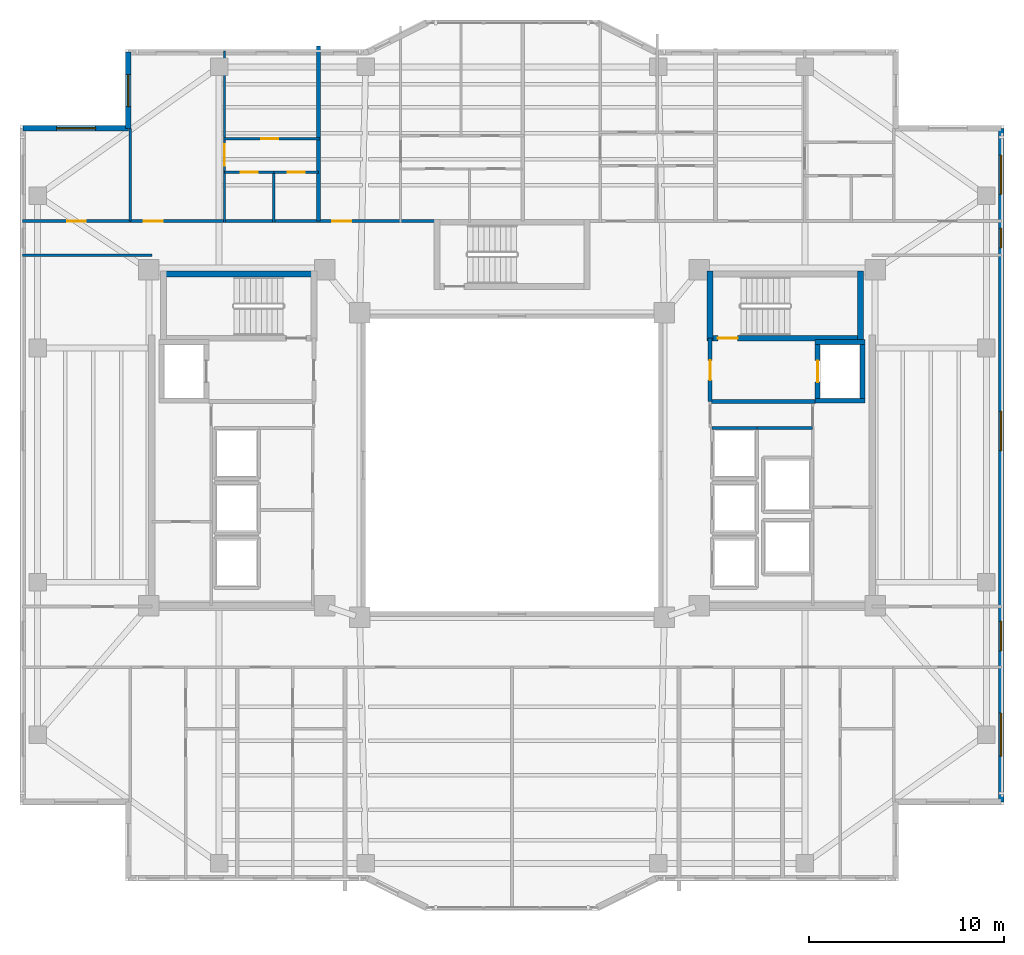
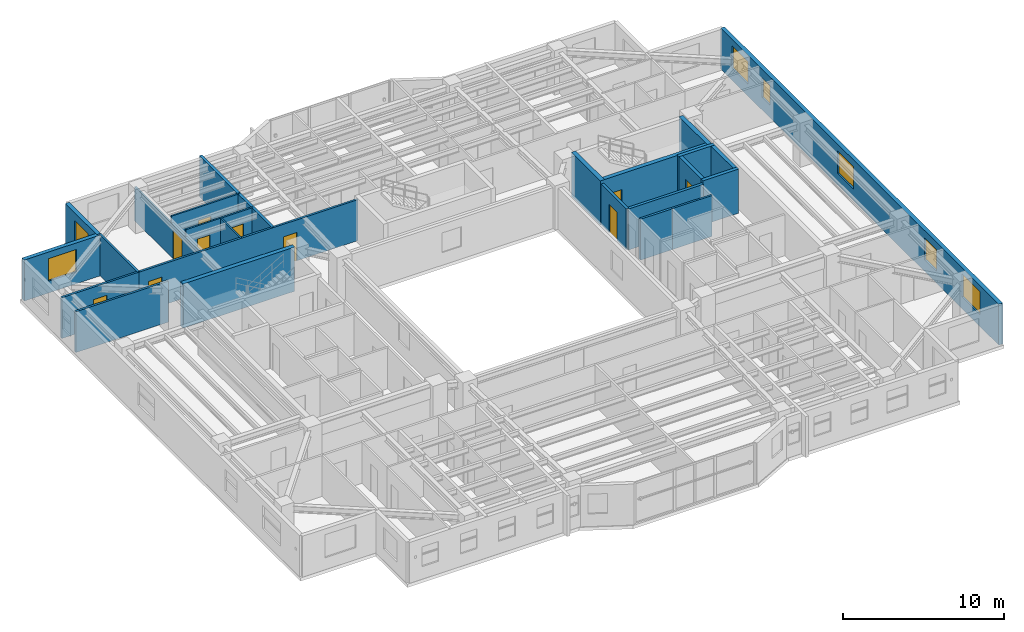
# One storey, part 9 of 16: 25 walls, 10 doors, 7 windows, 17 openings.
"""IFC4 building model written with IfcOpenShell, lengths in metres."""

from ifc_helpers import new_model, si_unit, direction, frame, frame_2d, origin, place, context, subcontext, project, spatial, rectangle, extrude, material, layer, layer_set, type_object, element, fill, save


model = new_model("IFC4")

# Units and contexts
model_context = context("Model", 3, precision=1e-05, world=origin(), true_north=direction((0.0, 1.0)))
body_context = subcontext(model_context, "Body", "Model", "MODEL_VIEW")
ifc_project = project(units=[si_unit("LENGTHUNIT", "METRE"), si_unit("AREAUNIT", "SQUARE_METRE"), si_unit("VOLUMEUNIT", "CUBIC_METRE"), si_unit("PLANEANGLEUNIT", "RADIAN"), si_unit("MASSUNIT", "GRAM", prefix="KILO")], contexts=[model_context])

# Site, building, storey
site_placement = place(None, origin())
site = spatial("IfcSite", under=ifc_project, at=site_placement, CompositionType="ELEMENT")
building_placement = place(site_placement, origin())
building = spatial("IfcBuilding", under=site, at=building_placement, Name="Tarnavaz Court Tower", CompositionType="ELEMENT")
storey_placement = place(building_placement, frame((0.0, 0.0, 152.699951171875)))
storey = spatial("IfcBuildingStorey", under=building, at=storey_placement, Name="L41", CompositionType="ELEMENT", Elevation=152.699951171875)

# Wall, opening, door
ifc_material_1 = material(Name="Concrete C50/60", Category="concrete")
ifc_layer_1 = layer(ifc_material_1, 0.25)
ifc_layer_set_1 = layer_set([ifc_layer_1], Name="Concrete C50/60")
wall_type_1 = type_object("IfcWallType", Name="WL-CORE-250-C50", PredefinedType="SHEAR", material=ifc_layer_set_1)
wall_1_placement = place(storey_placement, frame((15.64990234375, 3.175048828125, 0.0), z_axis=(0.0, 0.0, 1.0), x_axis=(0.0, 1.0, 0.0)))
wall_1 = element("IfcWall", 1, at=wall_1_placement, inside=storey, type_object=wall_type_1, Name="L41 Lift FL-E1 Shaft Wall 033", PredefinedType="SHEAR", context=body_context, shape_type="SweptSolid", body=[
    extrude(rectangle(XDim=3.25, YDim=0.25, at=frame_2d((1.625, 0.0))), origin(), (0.0, 0.0, 1.0), 3.35009765625),
])
opening_1_placement = place(wall_1_placement, frame((1.074951171875, 0.0, 0.0)))
opening_1 = element("IfcOpeningElement", 2, at=opening_1_placement, cuts=wall_1, Name="Opening LD1", PredefinedType="OPENING", context=body_context, shape_type="SweptSolid", body=[
    extrude(rectangle(XDim=1.10009765625, YDim=2.14990234375, at=frame_2d((0.550048828125, 1.074951171875))), frame((0.0, 0.135009765625, 0.0), z_axis=(0.0, -1.0, 0.0), x_axis=(1.0, 0.0, 0.0)), (0.0, 0.0, 1.0), 0.27001953125),
])
ifc_material_2 = material(Name="Stainless Steel", Category="steel")
door_type_1 = type_object("IfcDoorType", Name="DR-LD-1100", OperationType="NOTDEFINED", PredefinedType="DOOR", material=ifc_material_2)
door_1_placement = place(opening_1_placement, origin())
door_1 = element("IfcDoor", 3, at=door_1_placement, inside=storey, type_object=door_type_1, Name="L41 Lift Landing Door LD-FL-E1", OperationType="SLIDING_TO_LEFT", OverallHeight=2.14990234375, OverallWidth=1.10009765625, PredefinedType="DOOR", context=body_context, shape_type="SweptSolid", body=[
    extrude(rectangle(XDim=1.10009765625, YDim=2.14990234375, at=frame_2d((0.550048828125, 1.074951171875))), frame((0.0, 0.02490234375, 0.0), z_axis=(0.0, -1.0, 0.0), x_axis=(1.0, 0.0, 0.0)), (0.0, 0.0, 1.0), 0.050048828125),
])
fill(opening_1, door_1)

# Walls
wall_2_placement = place(storey_placement, frame((17.949951171875, 3.175048828125, 0.0), z_axis=(0.0, 0.0, 1.0), x_axis=(0.0, 1.0, 0.0)))
element("IfcWall", 4, at=wall_2_placement, inside=storey, type_object=wall_type_1, Name="L41 Lift FL-E1 Shaft Wall 034", PredefinedType="SHEAR", context=body_context, shape_type="SweptSolid", body=[
    extrude(rectangle(XDim=3.25, YDim=0.25, at=frame_2d((1.625, 0.0))), origin(), (0.0, 0.0, 1.0), 3.35009765625),
])
for number, where, z_axis, x_axis, name in (
    (5, (15.52490234375, 3.300048828125, 0.0), (0.0, 0.0, 1.0), (1.0, 0.0, 0.0), "L41 Lift FL-E1 Shaft Wall 035"),
    (6, (15.52490234375, 6.300048828125, 0.0), (0.0, 0.0, 1.0), (1.0, 0.0, 0.0), "L41 Lift FL-E1 Shaft Wall 036"),
):
    element("IfcWall", number, at=place(storey_placement, frame(where, z_axis=z_axis, x_axis=x_axis)), inside=storey, type_object=wall_type_1, Name=name, PredefinedType="SHEAR", context=body_context, shape_type="SweptSolid", body=[
        extrude(rectangle(XDim=2.550048828125, YDim=0.25, at=frame_2d((1.27490234375, 0.0))), origin(), (0.0, 0.0, 1.0), 3.35009765625),
    ])
ifc_layer_2 = layer(ifc_material_1, 0.300048828125)
ifc_layer_set_2 = layer_set([ifc_layer_2], Name="Concrete C50/60")
wall_type_2 = type_object("IfcWallType", Name="WL-CORE-300-C50", PredefinedType="SHEAR", material=ifc_layer_set_2)
wall_3_placement = place(storey_placement, frame((-18.0, 9.7900390625, 0.0), z_axis=(0.0, 0.0, 1.0), x_axis=(1.0, 0.0, 0.0)))
element("IfcWall", 7, at=wall_3_placement, inside=storey, type_object=wall_type_2, Name="L41 West Stair Core Wall 001", PredefinedType="SHEAR", context=body_context, shape_type="SweptSolid", body=[
    extrude(rectangle(XDim=8.0, YDim=0.300048828125, at=frame_2d((4.0, 0.0))), origin(), (0.0, 0.0, 1.0), 3.35009765625),
])

# Wall, opening, door
wall_4_placement = place(storey_placement, frame((10.0, 6.5, 0.0), z_axis=(0.0, 0.0, 1.0), x_axis=(1.0, 0.0, 0.0)))
wall_4 = element("IfcWall", 8, at=wall_4_placement, inside=storey, type_object=wall_type_2, Name="L41 East Stair Core Wall 006", PredefinedType="SHEAR", context=body_context, shape_type="SweptSolid", body=[
    extrude(rectangle(XDim=8.0, YDim=0.300048828125, at=frame_2d((4.0, 0.0))), origin(), (0.0, 0.0, 1.0), 3.35009765625),
])
opening_2_placement = place(wall_4_placement, frame((0.550048828125, 0.0, 0.0)))
opening_2 = element("IfcOpeningElement", 9, at=opening_2_placement, cuts=wall_4, Name="Opening D01", PredefinedType="OPENING", context=body_context, shape_type="SweptSolid", body=[
    extrude(rectangle(XDim=1.0, YDim=2.14990234375, at=frame_2d((0.5, 1.074951171875))), frame((0.0, 0.159912109375, 0.0), z_axis=(0.0, -1.0, 0.0), x_axis=(1.0, 0.0, 0.0)), (0.0, 0.0, 1.0), 0.320068359375),
])
ifc_material_3 = material(Name="Fire-Rated Hardwood Timber Core", Category="wood")
door_type_2 = type_object("IfcDoorType", Name="DR-FD90-1000", OperationType="NOTDEFINED", PredefinedType="DOOR", material=ifc_material_3)
door_2_placement = place(opening_2_placement, origin())
door_2 = element("IfcDoor", 10, at=door_2_placement, inside=storey, type_object=door_type_2, Name="L41 Stair ST-E1 Exit Door", OperationType="SINGLE_SWING_RIGHT", OverallHeight=2.14990234375, OverallWidth=1.0, PredefinedType="DOOR", context=body_context, shape_type="SweptSolid", body=[
    extrude(rectangle(XDim=1.0, YDim=2.14990234375, at=frame_2d((0.5, 1.074951171875))), frame((0.0, 0.02490234375, 0.0), z_axis=(0.0, -1.0, 0.0), x_axis=(1.0, 0.0, 0.0)), (0.0, 0.0, 1.0), 0.050048828125),
])
fill(opening_2, door_2)

# Walls
for number, where, z_axis, x_axis, name in (
    (11, (10.14990234375, 6.35009765625, 0.0), (0.0, 0.0, 1.0), (0.0, 1.0, 0.0), "L41 East Stair Core Wall 007"),
    (12, (17.85009765625, 6.35009765625, 0.0), (0.0, 0.0, 1.0), (0.0, 1.0, 0.0), "L41 East Stair Core Wall 008"),
):
    element("IfcWall", number, at=place(storey_placement, frame(where, z_axis=z_axis, x_axis=x_axis)), inside=storey, type_object=wall_type_2, Name=name, PredefinedType="SHEAR", context=body_context, shape_type="SweptSolid", body=[
        extrude(rectangle(XDim=3.58984375, YDim=0.300048828125, at=frame_2d((1.794921875, 0.0))), origin(), (0.0, 0.0, 1.0), 3.35009765625),
    ])

# Wall, opening, window
ifc_material_4 = material(Name="Precast Concrete C40/50", Category="concrete")
ifc_layer_3 = layer(ifc_material_4, 0.280029296875)
ifc_layer_set_3 = layer_set([ifc_layer_3], Name="Precast Concrete C40/50")
wall_type_3 = type_object("IfcWallType", Name="WL-EXT-280", PredefinedType="SOLIDWALL", material=ifc_layer_set_3)
wall_5_placement = place(storey_placement, frame((-25.050048828125, 17.25, 0.0), z_axis=(0.0, 0.0, 1.0), x_axis=(1.0, 0.0, 0.0)))
wall_5 = element("IfcWall", 13, at=wall_5_placement, inside=storey, type_object=wall_type_3, Name="L41 Exterior Terracotta Facade Wall 03", PredefinedType="SOLIDWALL", context=body_context, shape_type="SweptSolid", body=[
    extrude(rectangle(XDim=5.400146484375, YDim=0.280029296875, at=frame_2d((2.7001953125, 0.0))), origin(), (0.0, 0.0, 1.0), 3.10009765625),
])
opening_3_placement = place(wall_5_placement, frame((1.72509765625, 0.0, 0.89990234375)))
opening_3 = element("IfcOpeningElement", 14, at=opening_3_placement, cuts=wall_5, Name="Opening W08", PredefinedType="OPENING", context=body_context, shape_type="SweptSolid", body=[
    extrude(rectangle(XDim=2.0, YDim=1.699951171875, at=frame_2d((1.0, 0.85009765625))), frame((0.0, 0.14990234375, 0.0), z_axis=(0.0, -1.0, 0.0), x_axis=(1.0, 0.0, 0.0)), (0.0, 0.0, 1.0), 0.300048828125),
])
ifc_material_5 = material(Name="Double-Glazed Solar Low-E Glass", Category="glass")
window_type_1 = type_object("IfcWindowType", Name="WN-APT-2000", PartitioningType="DOUBLE_PANEL_VERTICAL", PredefinedType="WINDOW", material=ifc_material_5)
window_1_placement = place(opening_3_placement, origin())
window_1 = element("IfcWindow", 15, at=window_1_placement, inside=storey, type_object=window_type_1, Name="L41 North-West Corner Sunroom Study Window", OverallHeight=1.699951171875, OverallWidth=2.0, PartitioningType="SINGLE_PANEL", PredefinedType="WINDOW", context=body_context, shape_type="SweptSolid", body=[
    extrude(rectangle(XDim=2.0, YDim=1.699951171875, at=frame_2d((1.0, 0.85009765625))), frame((0.0, 0.030029296875, 0.0), z_axis=(0.0, -1.0, 0.0), x_axis=(1.0, 0.0, 0.0)), (0.0, 0.0, 1.0), 0.06005859375),
])
fill(opening_3, window_1)

wall_6_placement = place(storey_placement, frame((-19.64990234375, 17.25, 0.0), z_axis=(0.0, 0.0, 1.0), x_axis=(0.0, 1.0, 0.0)))
wall_6 = element("IfcWall", 16, at=wall_6_placement, inside=storey, type_object=wall_type_3, Name="L41 Exterior Terracotta Facade Wall 04", PredefinedType="SOLIDWALL", context=body_context, shape_type="SweptSolid", body=[
    extrude(rectangle(XDim=3.89990234375, YDim=0.280029296875, at=frame_2d((1.949951171875, 0.0))), origin(), (0.0, 0.0, 1.0), 3.10009765625),
])
opening_4_placement = place(wall_6_placement, frame((1.107177734375, 0.0, 0.89990234375)))
opening_4 = element("IfcOpeningElement", 17, at=opening_4_placement, cuts=wall_6, Name="Opening W02", PredefinedType="OPENING", context=body_context, shape_type="SweptSolid", body=[
    extrude(rectangle(XDim=1.64990234375, YDim=1.60009765625, at=frame_2d((0.824951171875, 0.800048828125))), frame((0.0, 0.14990234375, 0.0), z_axis=(0.0, -1.0, 0.0), x_axis=(1.0, 0.0, 0.0)), (0.0, 0.0, 1.0), 0.300048828125),
])
window_type_2 = type_object("IfcWindowType", Name="WN-APT-1650", PartitioningType="DOUBLE_PANEL_VERTICAL", PredefinedType="WINDOW", material=ifc_material_5)
window_2_placement = place(opening_4_placement, origin())
window_2 = element("IfcWindow", 18, at=window_2_placement, inside=storey, type_object=window_type_2, Name="L41 Flat 01 Living and Dining Room Window", OverallHeight=1.60009765625, OverallWidth=1.64990234375, PartitioningType="SINGLE_PANEL", PredefinedType="WINDOW", context=body_context, shape_type="SweptSolid", body=[
    extrude(rectangle(XDim=1.64990234375, YDim=1.60009765625, at=frame_2d((0.824951171875, 0.800048828125))), frame((0.0, 0.030029296875, 0.0), z_axis=(0.0, -1.0, 0.0), x_axis=(1.0, 0.0, 0.0)), (0.0, 0.0, 1.0), 0.06005859375),
])
fill(opening_4, window_2)

# Wall, openings, windows
wall_7_placement = place(storey_placement, frame((25.050048828125, 17.25, 0.0), z_axis=(0.0, 0.0, 1.0), x_axis=(0.0, -1.0, 0.0)))
wall_7 = element("IfcWall", 19, at=wall_7_placement, inside=storey, type_object=wall_type_3, Name="L41 Exterior Terracotta Facade Wall 12", PredefinedType="SOLIDWALL", context=body_context, shape_type="SweptSolid", body=[
    extrude(rectangle(XDim=34.5, YDim=0.280029296875, at=frame_2d((17.25, 0.0))), origin(), (0.0, 0.0, 1.0), 3.10009765625),
])
opening_5_placement = place(wall_7_placement, frame((1.375, 0.0, 0.89990234375)))
opening_5 = element("IfcOpeningElement", 20, at=opening_5_placement, cuts=wall_7, Name="Opening W08", PredefinedType="OPENING", context=body_context, shape_type="SweptSolid", body=[
    extrude(rectangle(XDim=2.0, YDim=1.699951171875, at=frame_2d((1.0, 0.85009765625))), frame((0.0, 0.14990234375, 0.0), z_axis=(0.0, -1.0, 0.0), x_axis=(1.0, 0.0, 0.0)), (0.0, 0.0, 1.0), 0.300048828125),
])
opening_6_placement = place(wall_7_placement, frame((5.125, 0.0, 0.949951171875)))
opening_6 = element("IfcOpeningElement", 21, at=opening_6_placement, cuts=wall_7, Name="Opening W14", PredefinedType="OPENING", context=body_context, shape_type="SweptSolid", body=[
    extrude(rectangle(XDim=1.0, YDim=1.5, at=frame_2d((0.5, 0.75))), frame((0.0, 0.14990234375, 0.0), z_axis=(0.0, -1.0, 0.0), x_axis=(1.0, 0.0, 0.0)), (0.0, 0.0, 1.0), 0.300048828125),
])
opening_7_placement = place(wall_7_placement, frame((14.5, 0.0, 0.89990234375)))
opening_7 = element("IfcOpeningElement", 22, at=opening_7_placement, cuts=wall_7, Name="Opening W08", PredefinedType="OPENING", context=body_context, shape_type="SweptSolid", body=[
    extrude(rectangle(XDim=2.0, YDim=1.699951171875, at=frame_2d((1.0, 0.85009765625))), frame((0.0, 0.14990234375, 0.0), z_axis=(0.0, -1.0, 0.0), x_axis=(1.0, 0.0, 0.0)), (0.0, 0.0, 1.0), 0.300048828125),
])
opening_8_placement = place(wall_7_placement, frame((25.257568359375, 0.0, 0.89990234375)))
opening_8 = element("IfcOpeningElement", 23, at=opening_8_placement, cuts=wall_7, Name="Opening W03", PredefinedType="OPENING", context=body_context, shape_type="SweptSolid", body=[
    extrude(rectangle(XDim=1.5, YDim=1.64990234375, at=frame_2d((0.75, 0.824951171875))), frame((0.0, 0.14990234375, 0.0), z_axis=(0.0, -1.0, 0.0), x_axis=(1.0, 0.0, 0.0)), (0.0, 0.0, 1.0), 0.300048828125),
])
opening_9_placement = place(wall_7_placement, frame((29.949951171875, 0.0, 0.89990234375)))
opening_9 = element("IfcOpeningElement", 24, at=opening_9_placement, cuts=wall_7, Name="Opening W07", PredefinedType="OPENING", context=body_context, shape_type="SweptSolid", body=[
    extrude(rectangle(XDim=2.199951171875, YDim=1.75, at=frame_2d((1.10009765625, 0.875))), frame((0.0, 0.14990234375, 0.0), z_axis=(0.0, -1.0, 0.0), x_axis=(1.0, 0.0, 0.0)), (0.0, 0.0, 1.0), 0.300048828125),
])
window_type_3 = type_object("IfcWindowType", Name="WN-APT-1000", PartitioningType="SINGLE_PANEL", PredefinedType="WINDOW", material=ifc_material_5)
window_3_placement = place(opening_6_placement, origin())
window_3 = element("IfcWindow", 25, at=window_3_placement, inside=storey, type_object=window_type_3, Name="L41 North-East Corner Corridor Window", OverallHeight=1.5, OverallWidth=1.0, PartitioningType="SINGLE_PANEL", PredefinedType="WINDOW", context=body_context, shape_type="SweptSolid", body=[
    extrude(rectangle(XDim=1.0, YDim=1.5, at=frame_2d((0.5, 0.75))), frame((0.0, 0.030029296875, 0.0), z_axis=(0.0, -1.0, 0.0), x_axis=(1.0, 0.0, 0.0)), (0.0, 0.0, 1.0), 0.06005859375),
])
fill(opening_6, window_3)
window_type_4 = type_object("IfcWindowType", Name="WN-APT-1500", PartitioningType="DOUBLE_PANEL_VERTICAL", PredefinedType="WINDOW", material=ifc_material_5)
window_4_placement = place(opening_8_placement, origin())
window_4 = element("IfcWindow", 26, at=window_4_placement, inside=storey, type_object=window_type_4, Name="L41 South-East Corner Corridor Window", OverallHeight=1.64990234375, OverallWidth=1.5, PartitioningType="SINGLE_PANEL", PredefinedType="WINDOW", context=body_context, shape_type="SweptSolid", body=[
    extrude(rectangle(XDim=1.5, YDim=1.64990234375, at=frame_2d((0.75, 0.824951171875))), frame((0.0, 0.030029296875, 0.0), z_axis=(0.0, -1.0, 0.0), x_axis=(1.0, 0.0, 0.0)), (0.0, 0.0, 1.0), 0.06005859375),
])
fill(opening_8, window_4)
window_5_placement = place(opening_5_placement, origin())
window_5 = element("IfcWindow", 27, at=window_5_placement, inside=storey, type_object=window_type_1, Name="L41 North-East Corner Sunroom Study Window", OverallHeight=1.699951171875, OverallWidth=2.0, PartitioningType="SINGLE_PANEL", PredefinedType="WINDOW", context=body_context, shape_type="SweptSolid", body=[
    extrude(rectangle(XDim=2.0, YDim=1.699951171875, at=frame_2d((1.0, 0.85009765625))), frame((0.0, 0.030029296875, 0.0), z_axis=(0.0, -1.0, 0.0), x_axis=(1.0, 0.0, 0.0)), (0.0, 0.0, 1.0), 0.06005859375),
])
fill(opening_5, window_5)
window_6_placement = place(opening_7_placement, origin())
window_6 = element("IfcWindow", 28, at=window_6_placement, inside=storey, type_object=window_type_1, Name="L41 East Wing Resident Fitness Lounge Window", OverallHeight=1.699951171875, OverallWidth=2.0, PartitioningType="SINGLE_PANEL", PredefinedType="WINDOW", context=body_context, shape_type="SweptSolid", body=[
    extrude(rectangle(XDim=2.0, YDim=1.699951171875, at=frame_2d((1.0, 0.85009765625))), frame((0.0, 0.030029296875, 0.0), z_axis=(0.0, -1.0, 0.0), x_axis=(1.0, 0.0, 0.0)), (0.0, 0.0, 1.0), 0.06005859375),
])
fill(opening_7, window_6)
window_type_5 = type_object("IfcWindowType", Name="WN-APT-2200", PartitioningType="TRIPLE_PANEL_VERTICAL", PredefinedType="WINDOW", material=ifc_material_5)
window_7_placement = place(opening_9_placement, origin())
window_7 = element("IfcWindow", 29, at=window_7_placement, inside=storey, type_object=window_type_5, Name="L41 South-East Corner Reading Room Window", OverallHeight=1.75, OverallWidth=2.199951171875, PartitioningType="SINGLE_PANEL", PredefinedType="WINDOW", context=body_context, shape_type="SweptSolid", body=[
    extrude(rectangle(XDim=2.199951171875, YDim=1.75, at=frame_2d((1.10009765625, 0.875))), frame((0.0, 0.030029296875, 0.0), z_axis=(0.0, -1.0, 0.0), x_axis=(1.0, 0.0, 0.0)), (0.0, 0.0, 1.0), 0.06005859375),
])
fill(opening_9, window_7)

# Wall, openings, doors
ifc_material_6 = material(Name="Gypsum Fire-Board on Acoustic Metal Stud", Category="masonry")
ifc_layer_4 = layer(ifc_material_6, 0.14990234375)
ifc_layer_set_4 = layer_set([ifc_layer_4], Name="Gypsum Fire-Board on Acoustic Metal Stud")
wall_type_4 = type_object("IfcWallType", Name="WL-FIRE-150", PredefinedType="PARTITIONING", material=ifc_layer_set_4)
wall_8_placement = place(storey_placement, frame((-19.550048828125, 12.5, 0.0), z_axis=(0.0, 0.0, 1.0), x_axis=(1.0, 0.0, 0.0)))
wall_8 = element("IfcWall", 30, at=wall_8_placement, inside=storey, type_object=wall_type_4, Name="L41 NW Wing Corridor Wall 071", PredefinedType="PARTITIONING", context=body_context, shape_type="SweptSolid", body=[
    extrude(rectangle(XDim=15.699951171875, YDim=0.14990234375, at=frame_2d((7.85009765625, 0.0))), origin(), (0.0, 0.0, 1.0), 3.10009765625),
])
opening_10_placement = place(wall_8_placement, frame((0.699951171875, 0.0, 0.0)))
opening_10 = element("IfcOpeningElement", 31, at=opening_10_placement, cuts=wall_8, Name="Opening D06", PredefinedType="OPENING", context=body_context, shape_type="SweptSolid", body=[
    extrude(rectangle(XDim=0.9599609375, YDim=2.14990234375, at=frame_2d((0.47998046875, 1.074951171875))), frame((0.0, 0.0849609375, 0.0), z_axis=(0.0, -1.0, 0.0), x_axis=(1.0, 0.0, 0.0)), (0.0, 0.0, 1.0), 0.169921875),
])
opening_11_placement = place(wall_8_placement, frame((10.347900390625, 0.0, 0.0)))
opening_11 = element("IfcOpeningElement", 32, at=opening_11_placement, cuts=wall_8, Name="Opening D06", PredefinedType="OPENING", context=body_context, shape_type="SweptSolid", body=[
    extrude(rectangle(XDim=0.9599609375, YDim=2.14990234375, at=frame_2d((0.47998046875, 1.074951171875))), frame((0.0, 0.0849609375, 0.0), z_axis=(0.0, -1.0, 0.0), x_axis=(1.0, 0.0, 0.0)), (0.0, 0.0, 1.0), 0.169921875),
])
door_type_3 = type_object("IfcDoorType", Name="DR-FD60-950", OperationType="NOTDEFINED", PredefinedType="DOOR", material=ifc_material_3)
door_3_placement = place(opening_10_placement, origin())
door_3 = element("IfcDoor", 33, at=door_3_placement, inside=storey, type_object=door_type_3, Name="L41 Flat 01 Entrance Door", OperationType="SINGLE_SWING_LEFT", OverallHeight=2.14990234375, OverallWidth=0.9599609375, PredefinedType="DOOR", context=body_context, shape_type="SweptSolid", body=[
    extrude(rectangle(XDim=0.9599609375, YDim=2.14990234375, at=frame_2d((0.47998046875, 1.074951171875))), frame((0.0, 0.02490234375, 0.0), z_axis=(0.0, -1.0, 0.0), x_axis=(1.0, 0.0, 0.0)), (0.0, 0.0, 1.0), 0.050048828125),
])
fill(opening_10, door_3)
door_4_placement = place(opening_11_placement, origin())
door_4 = element("IfcDoor", 34, at=door_4_placement, inside=storey, type_object=door_type_3, Name="L41 Flat 02 Entrance Door", OperationType="SINGLE_SWING_RIGHT", OverallHeight=2.14990234375, OverallWidth=0.9599609375, PredefinedType="DOOR", context=body_context, shape_type="SweptSolid", body=[
    extrude(rectangle(XDim=0.9599609375, YDim=2.14990234375, at=frame_2d((0.47998046875, 1.074951171875))), frame((0.0, 0.02490234375, 0.0), z_axis=(0.0, -1.0, 0.0), x_axis=(1.0, 0.0, 0.0)), (0.0, 0.0, 1.0), 0.050048828125),
])
fill(opening_11, door_4)

# Wall
wall_9_placement = place(storey_placement, frame((-25.080078125, 10.75, 0.0), z_axis=(0.0, 0.0, 1.0), x_axis=(1.0, 0.0, 0.0)))
element("IfcWall", 35, at=wall_9_placement, inside=storey, type_object=wall_type_4, Name="L41 Interior Partition 119", PredefinedType="PARTITIONING", context=body_context, shape_type="SweptSolid", body=[
    extrude(rectangle(XDim=6.630126953125, YDim=0.14990234375, at=frame_2d((3.31494140625, 0.0))), origin(), (0.0, 0.0, 1.0), 3.10009765625),
])

# Wall, opening, door
wall_10_placement = place(storey_placement, frame((-25.080078125, 12.5, 0.0), z_axis=(0.0, 0.0, 1.0), x_axis=(1.0, 0.0, 0.0)))
wall_10 = element("IfcWall", 36, at=wall_10_placement, inside=storey, type_object=wall_type_4, Name="L41 Interior Partition 126", PredefinedType="PARTITIONING", context=body_context, shape_type="SweptSolid", body=[
    extrude(rectangle(XDim=5.530029296875, YDim=0.14990234375, at=frame_2d((2.76513671875, 0.0))), origin(), (0.0, 0.0, 1.0), 3.10009765625),
])
opening_12_placement = place(wall_10_placement, frame((2.2900390625, 0.0, 0.0)))
opening_12 = element("IfcOpeningElement", 37, at=opening_12_placement, cuts=wall_10, Name="Opening D13", PredefinedType="OPENING", context=body_context, shape_type="SweptSolid", body=[
    extrude(rectangle(XDim=0.949951171875, YDim=2.14990234375, at=frame_2d((0.47509765625, 1.074951171875))), frame((0.0, 0.0849609375, 0.0), z_axis=(0.0, -1.0, 0.0), x_axis=(1.0, 0.0, 0.0)), (0.0, 0.0, 1.0), 0.169921875),
])
ifc_material_7 = material(Name="Engineered Oak Timber", Category="wood")
door_type_4 = type_object("IfcDoorType", Name="DR-INT-950", OperationType="NOTDEFINED", PredefinedType="DOOR", material=ifc_material_7)
door_5_placement = place(opening_12_placement, origin())
door_5 = element("IfcDoor", 38, at=door_5_placement, inside=storey, type_object=door_type_4, Name="L41 NW Sunroom Door", OperationType="SINGLE_SWING_LEFT", OverallHeight=2.14990234375, OverallWidth=0.949951171875, PredefinedType="DOOR", context=body_context, shape_type="SweptSolid", body=[
    extrude(rectangle(XDim=0.949951171875, YDim=2.14990234375, at=frame_2d((0.47509765625, 1.074951171875))), frame((0.0, 0.02490234375, 0.0), z_axis=(0.0, -1.0, 0.0), x_axis=(1.0, 0.0, 0.0)), (0.0, 0.0, 1.0), 0.050048828125),
])
fill(opening_12, door_5)

# Wall
ifc_material_8 = material(Name="Autoclaved Aerated Concrete Blockwork", Category="masonry")
ifc_layer_5 = layer(ifc_material_8, 0.199951171875)
ifc_layer_set_5 = layer_set([ifc_layer_5], Name="Autoclaved Aerated Concrete Blockwork")
wall_type_5 = type_object("IfcWallType", Name="WL-FIRE-200", PredefinedType="SOLIDWALL", material=ifc_layer_set_5)
wall_11_placement = place(storey_placement, frame((10.14990234375, 3.25, 0.0), z_axis=(0.0, 0.0, 1.0), x_axis=(1.0, 0.0, 0.0)))
element("IfcWall", 39, at=wall_11_placement, inside=storey, type_object=wall_type_5, Name="L41 East Firefighting Lobby Wall 015", PredefinedType="SOLIDWALL", context=body_context, shape_type="SweptSolid", body=[
    extrude(rectangle(XDim=5.400146484375, YDim=0.199951171875, at=frame_2d((2.7001953125, 0.0))), origin(), (0.0, 0.0, 1.0), 3.10009765625),
])

# Wall, opening, door
wall_12_placement = place(storey_placement, frame((10.14990234375, 3.25, 0.0), z_axis=(0.0, 0.0, 1.0), x_axis=(0.0, 1.0, 0.0)))
wall_12 = element("IfcWall", 40, at=wall_12_placement, inside=storey, type_object=wall_type_5, Name="L41 East Firefighting Lobby Wall 016", PredefinedType="SOLIDWALL", context=body_context, shape_type="SweptSolid", body=[
    extrude(rectangle(XDim=3.25, YDim=0.199951171875, at=frame_2d((1.625, 0.0))), origin(), (0.0, 0.0, 1.0), 3.10009765625),
])
opening_13_placement = place(wall_12_placement, frame((1.10009765625, 0.0, 0.0)))
opening_13 = element("IfcOpeningElement", 41, at=opening_13_placement, cuts=wall_12, Name="Opening D05", PredefinedType="OPENING", context=body_context, shape_type="SweptSolid", body=[
    extrude(rectangle(XDim=1.02001953125, YDim=2.14990234375, at=frame_2d((0.510009765625, 1.074951171875))), frame((0.0, 0.10986328125, 0.0), z_axis=(0.0, -1.0, 0.0), x_axis=(1.0, 0.0, 0.0)), (0.0, 0.0, 1.0), 0.219970703125),
])
door_type_5 = type_object("IfcDoorType", Name="DR-FD60-1000", OperationType="NOTDEFINED", PredefinedType="DOOR", material=ifc_material_3)
door_6_placement = place(opening_13_placement, origin())
door_6 = element("IfcDoor", 42, at=door_6_placement, inside=storey, type_object=door_type_5, Name="L41 East Firefighting Lobby Door", OperationType="SINGLE_SWING_LEFT", OverallHeight=2.14990234375, OverallWidth=1.02001953125, PredefinedType="DOOR", context=body_context, shape_type="SweptSolid", body=[
    extrude(rectangle(XDim=1.02001953125, YDim=2.14990234375, at=frame_2d((0.510009765625, 1.074951171875))), frame((0.0, 0.02490234375, 0.0), z_axis=(0.0, -1.0, 0.0), x_axis=(1.0, 0.0, 0.0)), (0.0, 0.0, 1.0), 0.050048828125),
])
fill(opening_13, door_6)

# Wall
wall_13_placement = place(storey_placement, frame((-9.902099609375, 12.5, 0.0), z_axis=(0.0, 0.0, 1.0), x_axis=(0.0, 1.0, 0.0)))
element("IfcWall", 43, at=wall_13_placement, inside=storey, type_object=wall_type_5, Name="L41 Party Wall 076", PredefinedType="SOLIDWALL", context=body_context, shape_type="SweptSolid", body=[
    extrude(rectangle(XDim=8.970947265625, YDim=0.199951171875, at=frame_2d((4.4853515625, 0.0))), origin(), (0.0, 0.0, 1.0), 3.10009765625),
])

# Wall, opening, door
ifc_material_9 = material(Name="Moisture-Resistant Gypsum Board Partition", Category="masonry")
ifc_layer_6 = layer(ifc_material_9, 0.1201171875)
ifc_layer_set_6 = layer_set([ifc_layer_6], Name="Moisture-Resistant Gypsum Board Partition")
wall_type_6 = type_object("IfcWallType", Name="WL-PART-120", PredefinedType="PARTITIONING", material=ifc_layer_set_6)
wall_14_placement = place(storey_placement, frame((-14.72607421875, 12.43994140625, 0.0), z_axis=(0.0, 0.0, 1.0), x_axis=(0.0, 1.0, 0.0)))
wall_14 = element("IfcWall", 44, at=wall_14_placement, inside=storey, type_object=wall_type_6, Name="L41 Interior Partition 077", PredefinedType="PARTITIONING", context=body_context, shape_type="SweptSolid", body=[
    extrude(rectangle(XDim=8.760009765625, YDim=0.1201171875, at=frame_2d((4.3798828125, 0.0))), origin(), (0.0, 0.0, 1.0), 2.5849609375),
])
opening_14_placement = place(wall_14_placement, frame((2.905029296875, 0.0, 0.0)))
opening_14 = element("IfcOpeningElement", 45, at=opening_14_placement, cuts=wall_14, Name="Opening D12", PredefinedType="OPENING", context=body_context, shape_type="SweptSolid", body=[
    extrude(rectangle(XDim=1.080078125, YDim=2.14990234375, at=frame_2d((0.5400390625, 1.074951171875))), frame((0.0, 0.070068359375, 0.0), z_axis=(0.0, -1.0, 0.0), x_axis=(1.0, 0.0, 0.0)), (0.0, 0.0, 1.0), 0.14013671875),
])
door_type_6 = type_object("IfcDoorType", Name="DR-INT-1100", OperationType="NOTDEFINED", PredefinedType="DOOR", material=ifc_material_7)
door_7_placement = place(opening_14_placement, origin())
door_7 = element("IfcDoor", 46, at=door_7_placement, inside=storey, type_object=door_type_6, Name="L41 Flat 01 Foyer Door", OperationType="SINGLE_SWING_RIGHT", OverallHeight=2.14990234375, OverallWidth=1.080078125, PredefinedType="DOOR", context=body_context, shape_type="SweptSolid", body=[
    extrude(rectangle(XDim=1.080078125, YDim=2.14990234375, at=frame_2d((0.5400390625, 1.074951171875))), frame((0.0, 0.02490234375, 0.0), z_axis=(0.0, -1.0, 0.0), x_axis=(1.0, 0.0, 0.0)), (0.0, 0.0, 1.0), 0.050048828125),
])
fill(opening_14, door_7)

wall_15_placement = place(storey_placement, frame((-14.72607421875, 15.0, 0.0), z_axis=(0.0, 0.0, 1.0), x_axis=(1.0, 0.0, 0.0)))
wall_15 = element("IfcWall", 47, at=wall_15_placement, inside=storey, type_object=wall_type_6, Name="L41 Interior Partition 078", PredefinedType="PARTITIONING", context=body_context, shape_type="SweptSolid", body=[
    extrude(rectangle(XDim=2.525146484375, YDim=0.1201171875, at=frame_2d((1.2626953125, 0.0))), origin(), (0.0, 0.0, 1.0), 3.10009765625),
])
opening_15_placement = place(wall_15_placement, frame((0.822998046875, 0.0, 0.0)))
opening_15 = element("IfcOpeningElement", 48, at=opening_15_placement, cuts=wall_15, Name="Opening D14", PredefinedType="OPENING", context=body_context, shape_type="SweptSolid", body=[
    extrude(rectangle(XDim=0.8798828125, YDim=2.10009765625, at=frame_2d((0.43994140625, 1.050048828125))), frame((0.0, 0.070068359375, 0.0), z_axis=(0.0, -1.0, 0.0), x_axis=(1.0, 0.0, 0.0)), (0.0, 0.0, 1.0), 0.14013671875),
])
door_type_7 = type_object("IfcDoorType", Name="DR-INT-900", OperationType="NOTDEFINED", PredefinedType="DOOR", material=ifc_material_7)
door_8_placement = place(opening_15_placement, origin())
door_8 = element("IfcDoor", 49, at=door_8_placement, inside=storey, type_object=door_type_7, Name="L41 Flat 01 Kitchen Door", OperationType="SINGLE_SWING_LEFT", OverallHeight=2.10009765625, OverallWidth=0.8798828125, PredefinedType="DOOR", context=body_context, shape_type="SweptSolid", body=[
    extrude(rectangle(XDim=0.8798828125, YDim=2.10009765625, at=frame_2d((0.43994140625, 1.050048828125))), frame((0.0, 0.02490234375, 0.0), z_axis=(0.0, -1.0, 0.0), x_axis=(1.0, 0.0, 0.0)), (0.0, 0.0, 1.0), 0.050048828125),
])
fill(opening_15, door_8)

wall_16_placement = place(storey_placement, frame((-12.200927734375, 15.0, 0.0), z_axis=(0.0, 0.0, 1.0), x_axis=(1.0, 0.0, 0.0)))
wall_16 = element("IfcWall", 50, at=wall_16_placement, inside=storey, type_object=wall_type_6, Name="L41 Interior Partition 079", PredefinedType="PARTITIONING", context=body_context, shape_type="SweptSolid", body=[
    extrude(rectangle(XDim=2.298828125, YDim=0.1201171875, at=frame_2d((1.1494140625, 0.0))), origin(), (0.0, 0.0, 1.0), 3.10009765625),
])
opening_16_placement = place(wall_16_placement, frame((0.7099609375, 0.0, 0.0)))
opening_16 = element("IfcOpeningElement", 51, at=opening_16_placement, cuts=wall_16, Name="Opening D14", PredefinedType="OPENING", context=body_context, shape_type="SweptSolid", body=[
    extrude(rectangle(XDim=0.8798828125, YDim=2.10009765625, at=frame_2d((0.43994140625, 1.050048828125))), frame((0.0, 0.070068359375, 0.0), z_axis=(0.0, -1.0, 0.0), x_axis=(1.0, 0.0, 0.0)), (0.0, 0.0, 1.0), 0.14013671875),
])
door_9_placement = place(opening_16_placement, origin())
door_9 = element("IfcDoor", 52, at=door_9_placement, inside=storey, type_object=door_type_7, Name="L41 Flat 01 Bathroom Door", OperationType="SINGLE_SWING_RIGHT", OverallHeight=2.10009765625, OverallWidth=0.8798828125, PredefinedType="DOOR", context=body_context, shape_type="SweptSolid", body=[
    extrude(rectangle(XDim=0.8798828125, YDim=2.10009765625, at=frame_2d((0.43994140625, 1.050048828125))), frame((0.0, 0.02490234375, 0.0), z_axis=(0.0, -1.0, 0.0), x_axis=(1.0, 0.0, 0.0)), (0.0, 0.0, 1.0), 0.050048828125),
])
fill(opening_16, door_9)

wall_17_placement = place(storey_placement, frame((-14.785888671875, 16.7099609375, 0.0), z_axis=(0.0, 0.0, 1.0), x_axis=(1.0, 0.0, 0.0)))
wall_17 = element("IfcWall", 53, at=wall_17_placement, inside=storey, type_object=wall_type_6, Name="L41 Interior Partition 080", PredefinedType="PARTITIONING", context=body_context, shape_type="SweptSolid", body=[
    extrude(rectangle(XDim=4.94384765625, YDim=0.1201171875, at=frame_2d((2.471923828125, 0.0))), origin(), (0.0, 0.0, 1.0), 3.10009765625),
])
opening_17_placement = place(wall_17_placement, frame((1.94189453125, 0.0, 0.0)))
opening_17 = element("IfcOpeningElement", 54, at=opening_17_placement, cuts=wall_17, Name="Opening D14", PredefinedType="OPENING", context=body_context, shape_type="SweptSolid", body=[
    extrude(rectangle(XDim=0.8798828125, YDim=2.10009765625, at=frame_2d((0.43994140625, 1.050048828125))), frame((0.0, 0.070068359375, 0.0), z_axis=(0.0, -1.0, 0.0), x_axis=(1.0, 0.0, 0.0)), (0.0, 0.0, 1.0), 0.14013671875),
])
door_10_placement = place(opening_17_placement, origin())
door_10 = element("IfcDoor", 55, at=door_10_placement, inside=storey, type_object=door_type_7, Name="L41 Flat 01 Bedroom 1 Door", OperationType="SINGLE_SWING_LEFT", OverallHeight=2.10009765625, OverallWidth=0.8798828125, PredefinedType="DOOR", context=body_context, shape_type="SweptSolid", body=[
    extrude(rectangle(XDim=0.8798828125, YDim=2.10009765625, at=frame_2d((0.43994140625, 1.050048828125))), frame((0.0, 0.02490234375, 0.0), z_axis=(0.0, -1.0, 0.0), x_axis=(1.0, 0.0, 0.0)), (0.0, 0.0, 1.0), 0.050048828125),
])
fill(opening_17, door_10)

# Walls
wall_18_placement = place(storey_placement, frame((-12.200927734375, 12.43994140625, 0.0), z_axis=(0.0, 0.0, 1.0), x_axis=(0.0, 1.0, 0.0)))
element("IfcWall", 56, at=wall_18_placement, inside=storey, type_object=wall_type_6, Name="L41 Interior Partition 081", PredefinedType="PARTITIONING", context=body_context, shape_type="SweptSolid", body=[
    extrude(rectangle(XDim=2.6201171875, YDim=0.1201171875, at=frame_2d((1.31005859375, 0.0))), origin(), (0.0, 0.0, 1.0), 3.10009765625),
])
ifc_material_10 = material(Name="Gypsum Plasterboard Acoustic Partition", Category="masonry")
ifc_layer_7 = layer(ifc_material_10, 0.139892578125)
ifc_layer_set_7 = layer_set([ifc_layer_7], Name="Gypsum Plasterboard Acoustic Partition")
wall_type_7 = type_object("IfcWallType", Name="WL-PART-150", PredefinedType="PARTITIONING", material=ifc_layer_set_7)
wall_19_placement = place(storey_placement, frame((12.550048828125, 1.89990234375, 0.0), z_axis=(0.0, 0.0, 1.0), x_axis=(1.0, 0.0, 0.0)))
element("IfcWall", 57, at=wall_19_placement, inside=storey, type_object=wall_type_7, Name="L41 Interior Partition 067", PredefinedType="PARTITIONING", context=body_context, shape_type="SweptSolid", body=[
    extrude(rectangle(XDim=2.849853515625, YDim=0.139892578125, at=frame_2d((1.4248046875, 0.0))), origin(), (0.0, 0.0, 1.0), 3.10009765625),
])
wall_20_placement = place(storey_placement, frame((-19.550048828125, 12.5, 0.0), z_axis=(0.0, 0.0, 1.0), x_axis=(0.0, 1.0, 0.0)))
element("IfcWall", 58, at=wall_20_placement, inside=storey, type_object=wall_type_7, Name="L41 Interior Partition 124", PredefinedType="PARTITIONING", context=body_context, shape_type="SweptSolid", body=[
    extrude(rectangle(XDim=4.75, YDim=0.139892578125, at=frame_2d((2.375, 0.0))), origin(), (0.0, 0.0, 1.0), 3.10009765625),
])
ifc_layer_8 = layer(ifc_material_8, 0.159912109375)
ifc_layer_set_8 = layer_set([ifc_layer_8], Name="Autoclaved Aerated Concrete Blockwork")
wall_type_8 = type_object("IfcWallType", Name="WL-SHAFT-150", PredefinedType="SOLIDWALL", material=ifc_layer_set_8)
wall_21_placement = place(storey_placement, frame((10.25, 1.89990234375, 0.0), z_axis=(0.0, 0.0, 1.0), x_axis=(1.0, 0.0, 0.0)))
element("IfcWall", 59, at=wall_21_placement, inside=storey, type_object=wall_type_8, Name="L41 Lift PL-M3 Shaft Wall 048", PredefinedType="SOLIDWALL", context=body_context, shape_type="SweptSolid", body=[
    extrude(rectangle(XDim=2.300048828125, YDim=0.159912109375, at=frame_2d((1.14990234375, 0.0))), origin(), (0.0, 0.0, 1.0), 3.10009765625),
])

save(model, "model.ifc")
